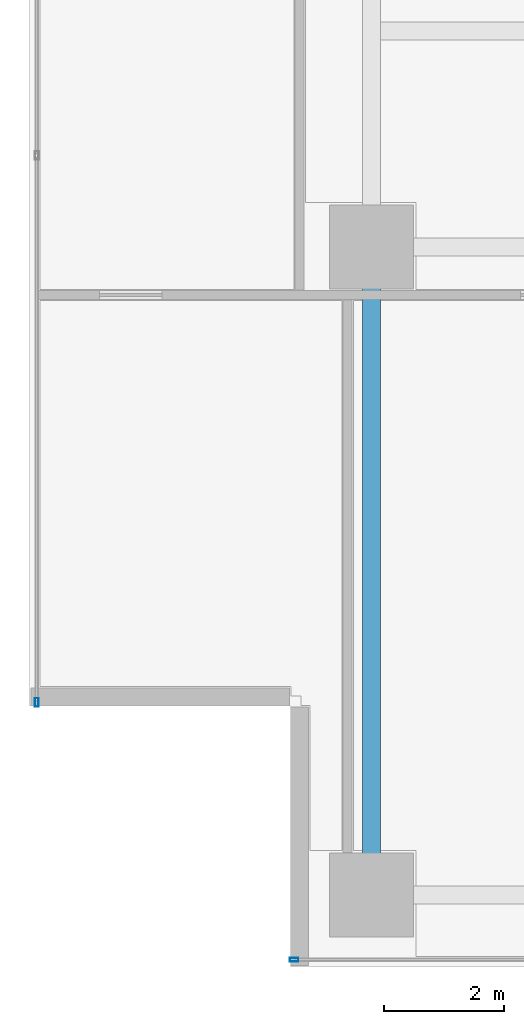
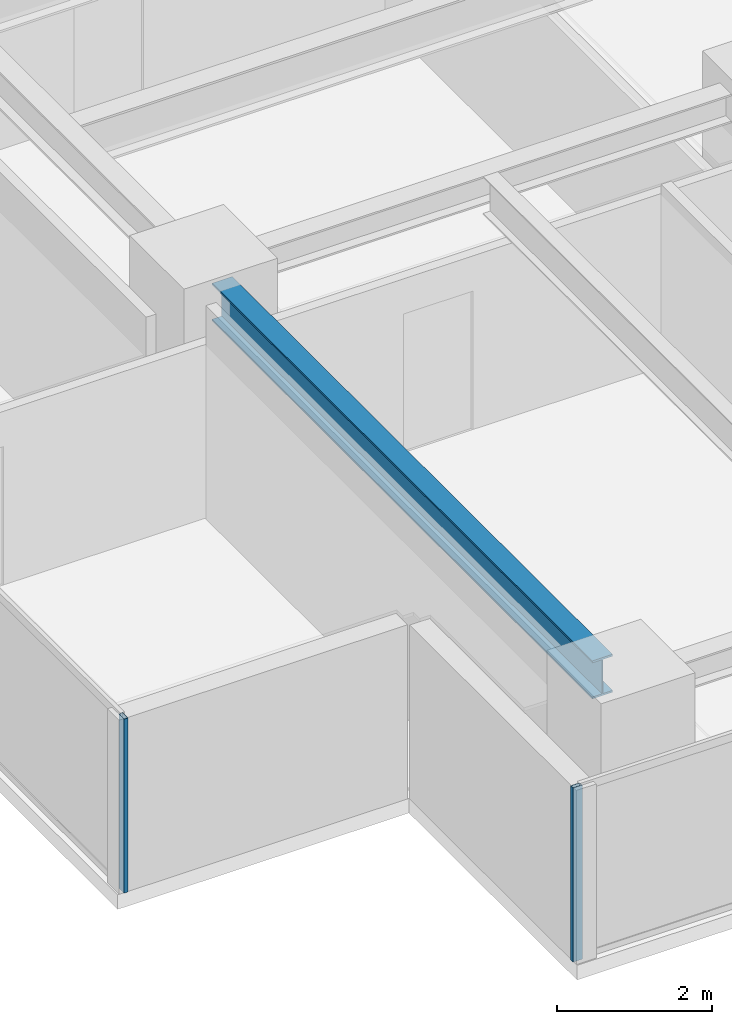
# One storey, part 2 of 26: 2 members, 1 beam, 2 elements without a shape of their own.
"""IFC4 building model written with IfcOpenShell, lengths in metres."""

from ifc_helpers import new_model, si_unit, direction, frame, origin, origin_2d, place, context, subcontext, project, spatial, hollow_rectangle, i_section, extrude, source, transform, mapped, material, layer, layer_set, material_profile, profile_set, type_object, element, aggregate, save


model = new_model("IFC4")

# Units and contexts
model_context = context("Model", 3, precision=1e-05, world=origin(), true_north=direction((0.0, 1.0)))
body_context = subcontext(model_context, "Body", "Model", "MODEL_VIEW")
ifc_project = project(units=[si_unit("LENGTHUNIT", "METRE"), si_unit("AREAUNIT", "SQUARE_METRE"), si_unit("VOLUMEUNIT", "CUBIC_METRE"), si_unit("PLANEANGLEUNIT", "RADIAN"), si_unit("MASSUNIT", "GRAM", prefix="KILO")], contexts=[model_context])

# Site, building, storey
site_placement = place(None, origin())
site = spatial("IfcSite", under=ifc_project, at=site_placement, CompositionType="ELEMENT")
building_placement = place(site_placement, origin())
building = spatial("IfcBuilding", under=site, at=building_placement, Name="Sumidabori Civic Tower", CompositionType="ELEMENT")
storey_placement = place(building_placement, frame((0.0, 0.0, 243.199951171875)))
storey = spatial("IfcBuildingStorey", under=building, at=storey_placement, Name="L63", CompositionType="ELEMENT", Elevation=243.199951171875)

# Beam
ifc_material_1 = material(Name="Steel SN490", Category="steel")
ifc_material_profile_1 = material_profile(ifc_material_1, i_section(OverallWidth=0.300048828125, OverallDepth=0.60009765625, WebThickness=0.015380859375, FlangeThickness=0.030029296875, at=origin_2d()), Name="HE 600 B")
ifc_profile_set_1 = profile_set([ifc_material_profile_1], Name="Steel SN490")
beam_type = type_object("IfcBeamType", Name="BM-GIRD-600", PredefinedType="BEAM", material=ifc_profile_set_1)
shared_shape_1 = source(origin(), body_context, "Body", "SweptSolid", [
    extrude(i_section(OverallWidth=0.300048828125, OverallDepth=0.60009765625, WebThickness=0.015380859375, FlangeThickness=0.030029296875, at=origin_2d()), origin(), (0.0, 0.0, 1.0), 9.840087890625),
])
beam_placement = place(storey_placement, frame((-16.800048828125, -10.320068359375, 3.070068359375), z_axis=(0.0, 1.0, 0.0), x_axis=(-1.0, 0.0, 0.0)))
element("IfcBeam", 1, at=beam_placement, inside=storey, type_object=beam_type, Name="Primary Girder L63 GY-09", PredefinedType="BEAM", context=body_context, shape_type="MappedRepresentation", body=[
    mapped(shared_shape_1, transform((0.0, 0.0, 0.0), x_axis=(1.0, 0.0, 0.0), y_axis=(0.0, 1.0, 0.0), z_axis=(0.0, 0.0, 1.0), scale=1.0)),
])

# Curtain wall, member
ifc_material_2 = material(Name="Anodised Bronze Aluminium AW-6063-T6", Category="aluminium")
ifc_layer = layer(ifc_material_2, 0.179931640625, Name="Anodised Bronze Aluminium AW-6063-T6")
ifc_layer_set = layer_set([ifc_layer], Name="Anodised Bronze Aluminium AW-6063-T6")
curtain_wall_type = type_object("IfcCurtainWallType", Name="CW-SYS-5", PredefinedType="NOTDEFINED", material=ifc_layer_set)
curtain_wall_1_placement = place(storey_placement, origin())
curtain_wall_1 = element("IfcCurtainWall", 2, at=curtain_wall_1_placement, inside=storey, type_object=curtain_wall_type, Name="Curtain Wall CW:L63:R01", PredefinedType="NOTDEFINED")
ifc_material_profile_2 = material_profile(ifc_material_2, hollow_rectangle(XDim=0.06005859375, YDim=0.139892578125, WallThickness=0.0048828125, at=origin_2d()), Name="ALU MULLION 140x60")
ifc_profile_set_2 = profile_set([ifc_material_profile_2], Name="Anodised Bronze Aluminium AW-6063-T6")
member_type = type_object("IfcMemberType", Name="CW-MUL-140", PredefinedType="MULLION", material=ifc_profile_set_2)
shared_shape_2 = source(origin(), body_context, "Body", "SweptSolid", [
    extrude(hollow_rectangle(XDim=0.06005859375, YDim=0.139892578125, WallThickness=0.0048828125, at=origin_2d()), origin(), (0.0, 0.0, 1.0), 2.75),
])
member_1_placement = place(storey_placement, frame((-18.090087890625, -11.8798828125, 0.0), z_axis=(0.0, 0.0, 1.0), x_axis=(0.0, 1.0, 0.0)))
member_1 = element("IfcMember", 3, at=member_1_placement, type_object=member_type, Name="CW-5 mullion 1", PredefinedType="MULLION", context=body_context, shape_type="MappedRepresentation", body=[
    mapped(shared_shape_2, transform((0.0, 0.0, 0.0), x_axis=(1.0, 0.0, 0.0), y_axis=(0.0, 1.0, 0.0), z_axis=(0.0, 0.0, 1.0), scale=1.0)),
])
aggregate(curtain_wall_1, [member_1])

curtain_wall_2_placement = place(storey_placement, origin())
curtain_wall_2 = element("IfcCurtainWall", 4, at=curtain_wall_2_placement, inside=storey, type_object=curtain_wall_type, Name="Curtain Wall CW:L63:R10", PredefinedType="NOTDEFINED")
member_2_placement = place(storey_placement, frame((-22.3798828125, -7.590087890625, 0.0), z_axis=(0.0, 0.0, 1.0), x_axis=(1.0, 0.0, 0.0)))
member_2 = element("IfcMember", 5, at=member_2_placement, type_object=member_type, Name="CW-5 mullion 4", PredefinedType="MULLION", context=body_context, shape_type="MappedRepresentation", body=[
    mapped(shared_shape_2, transform((0.0, 0.0, 0.0), x_axis=(1.0, 0.0, 0.0), y_axis=(0.0, 1.0, 0.0), z_axis=(0.0, 0.0, 1.0), scale=1.0)),
])
aggregate(curtain_wall_2, [member_2])

save(model, "model.ifc")
